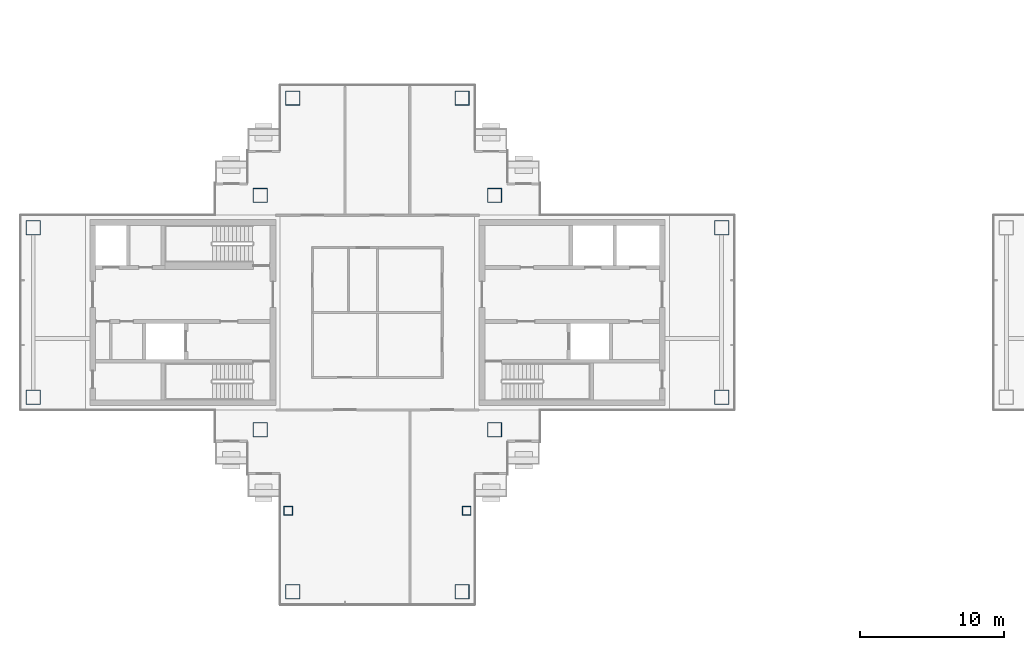
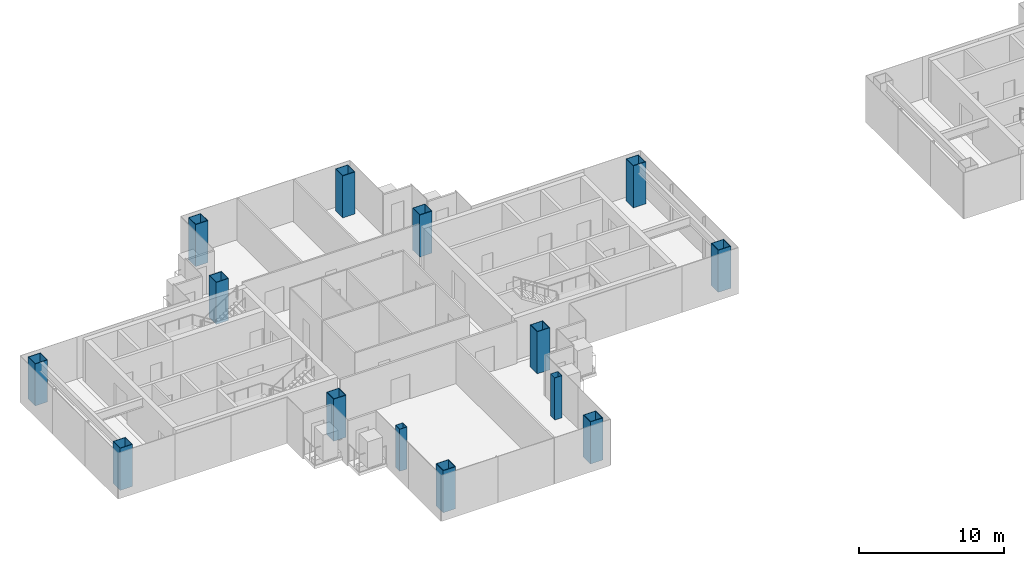
# One storey, part 1 of 15: 14 columns.
"""IFC4 building model written with IfcOpenShell, lengths in metres."""

from ifc_helpers import new_model, si_unit, direction, frame, origin, origin_2d, place, context, subcontext, project, spatial, hollow_rectangle, extrude, material, material_profile, profile_set, type_object, element, save


model = new_model("IFC4")

# Units and contexts
model_context = context("Model", 3, precision=1e-05, world=origin(), true_north=direction((0.0, 1.0)))
body_context = subcontext(model_context, "Body", "Model", "MODEL_VIEW")
ifc_project = project(units=[si_unit("LENGTHUNIT", "METRE"), si_unit("AREAUNIT", "SQUARE_METRE"), si_unit("VOLUMEUNIT", "CUBIC_METRE"), si_unit("PLANEANGLEUNIT", "RADIAN"), si_unit("MASSUNIT", "GRAM", prefix="KILO")], contexts=[model_context])

# Site, building, storey
site_placement = place(None, origin())
site = spatial("IfcSite", under=ifc_project, at=site_placement, CompositionType="ELEMENT")
building_placement = place(site_placement, origin())
building = spatial("IfcBuilding", under=site, at=building_placement, Name="Shamsa Quay Exchange Towers", CompositionType="ELEMENT")
storey_placement = place(building_placement, frame((0.0, 0.0, 202.199951171875)))
storey = spatial("IfcBuildingStorey", under=building, at=storey_placement, Name="L48", CompositionType="ELEMENT", Elevation=202.199951171875)

# Columns
ifc_material_1 = material(Name="Concrete-filled steel tube S355 / C80/95", Category="concrete")
ifc_material_profile_1 = material_profile(ifc_material_1, hollow_rectangle(XDim=1.0, YDim=1.0, WallThickness=0.0400390625, at=origin_2d()), Name="CFT 1000x1000x40")
ifc_profile_set_1 = profile_set([ifc_material_profile_1], Name="Concrete-filled steel tube S355 / C80/95")
column_type_1 = type_object("IfcColumnType", Name="Column CFT 1000x1000x40", PredefinedType="COLUMN", material=ifc_profile_set_1)
for number, where, name in (
    (1, (-25.625, 8.125, 0.0), "Mega column T1-CM01"),
    (2, (-25.625, -8.125, 0.0), "Mega column T1-CM02"),
    (3, (-41.875, 8.125, 0.0), "Mega column T1-CM03"),
    (4, (-41.875, -8.125, 0.0), "Mega column T1-CM04"),
    (5, (-9.875, -5.875, 0.0), "Mega column T1-CM05"),
    (6, (-9.875, 5.875, 0.0), "Mega column T1-CM07"),
    (7, (-57.625, -5.875, 0.0), "Mega column T1-CM09"),
    (8, (-57.625, 5.875, 0.0), "Mega column T1-CM11"),
    (9, (-39.625, 14.875, 0.0), "Mega column T1-CM13"),
    (10, (-27.875, 14.875, 0.0), "Mega column T1-CM16"),
    (11, (-39.625, -19.375, 0.0), "Mega column T1-CM20"),
    (12, (-27.875, -19.375, 0.0), "Mega column T1-CM23"),
):
    element("IfcColumn", number, at=place(storey_placement, frame(where)), inside=storey, type_object=column_type_1, Name=name, PredefinedType="COLUMN", context=body_context, shape_type="SweptSolid", body=[
        extrude(hollow_rectangle(XDim=1.0, YDim=1.0, WallThickness=0.0400390625, at=origin_2d()), origin(), (0.0, 0.0, 1.0), 3.550048828125),
    ])
ifc_material_2 = material(Name="Concrete-filled steel tube S355 / C60/75", Category="concrete")
ifc_material_profile_2 = material_profile(ifc_material_2, hollow_rectangle(XDim=0.60009765625, YDim=0.60009765625, WallThickness=0.02001953125, at=origin_2d()), Name="CFT 600x600x20")
ifc_profile_set_2 = profile_set([ifc_material_profile_2], Name="Concrete-filled steel tube S355 / C60/75")
column_type_2 = type_object("IfcColumnType", Name="Column CFT 600x600x20", PredefinedType="COLUMN", material=ifc_profile_set_2)
for number, where, name in (
    (13, (-39.9375, -13.75, 0.0), "Perimeter column T1-CP19"),
    (14, (-27.5625, -13.75, 0.0), "Perimeter column T1-CP22"),
):
    element("IfcColumn", number, at=place(storey_placement, frame(where)), inside=storey, type_object=column_type_2, Name=name, PredefinedType="COLUMN", context=body_context, shape_type="SweptSolid", body=[
        extrude(hollow_rectangle(XDim=0.60009765625, YDim=0.60009765625, WallThickness=0.02001953125, at=origin_2d()), origin(), (0.0, 0.0, 1.0), 3.550048828125),
    ])

save(model, "model.ifc")
